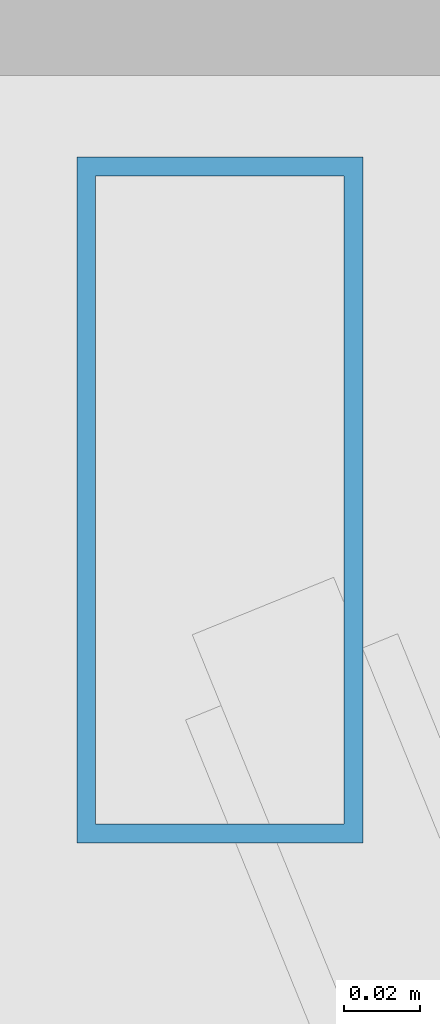
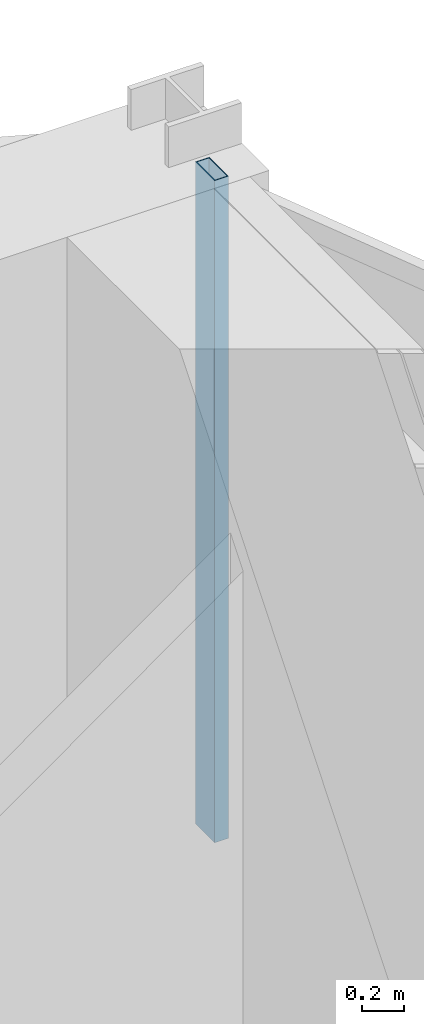
# One storey, part 18 of 26: 1 member, 1 element without a shape of its own.
"""IFC4 building model written with IfcOpenShell, lengths in metres."""

from ifc_helpers import new_model, si_unit, direction, frame, origin, origin_2d, place, context, subcontext, project, spatial, hollow_rectangle, extrude, material, layer, layer_set, material_profile, profile_set, type_object, element, aggregate, save


model = new_model("IFC4")

# Units and contexts
model_context = context("Model", 3, precision=1e-05, world=origin(), true_north=direction((0.0, 1.0)))
body_context = subcontext(model_context, "Body", "Model", "MODEL_VIEW")
ifc_project = project(units=[si_unit("LENGTHUNIT", "METRE"), si_unit("AREAUNIT", "SQUARE_METRE"), si_unit("VOLUMEUNIT", "CUBIC_METRE"), si_unit("PLANEANGLEUNIT", "RADIAN"), si_unit("MASSUNIT", "GRAM", prefix="KILO")], contexts=[model_context])

# Site, building, storey
site_placement = place(None, origin())
site = spatial("IfcSite", under=ifc_project, at=site_placement, CompositionType="ELEMENT")
building_placement = place(site_placement, origin())
building = spatial("IfcBuilding", under=site, at=building_placement, Name="Veymaron Broadcast Tower", CompositionType="ELEMENT")
storey_placement = place(building_placement, frame((0.0, 0.0, 133.050048828125)))
storey = spatial("IfcBuildingStorey", under=building, at=storey_placement, Name="L30", CompositionType="ELEMENT", Elevation=133.050048828125)

# Curtain wall, member
ifc_material_1 = material(Name="Anodised aluminium AA 6063-T6 and laminated low-E dark glass", Category="aluminium")
ifc_layer = layer(ifc_material_1, 0.179931640625)
ifc_layer_set = layer_set([ifc_layer], Name="Anodised aluminium AA 6063-T6 and laminated low-E dark glass")
curtain_wall_type = type_object("IfcCurtainWallType", Name="CW-SYS-03", PredefinedType="NOTDEFINED", material=ifc_layer_set)
curtain_wall_placement = place(storey_placement, origin())
curtain_wall = element("IfcCurtainWall", 1, at=curtain_wall_placement, inside=storey, type_object=curtain_wall_type, Name="L30 dark-glass curtain wall CW-L30-E3-1", PredefinedType="NOTDEFINED")
ifc_material_2 = material(Name="Anodised aluminium AA 6063-T6", Category="aluminium")
ifc_material_profile = material_profile(ifc_material_2, hollow_rectangle(XDim=0.074951171875, YDim=0.179931640625, WallThickness=0.0048828125, at=origin_2d()), Name="AL180X75X5")
ifc_profile_set = profile_set([ifc_material_profile], Name="Anodised aluminium AA 6063-T6")
member_type = type_object("IfcMemberType", Name="CW-MUL-02", PredefinedType="MULLION", material=ifc_profile_set)
member_placement = place(storey_placement, frame((54.572998046875, 31.695068359375, 0.0), z_axis=(0.0, 0.0, 1.0), x_axis=(1.0, 0.0, 0.0)))
member = element("IfcMember", 2, at=member_placement, type_object=member_type, Name="CW-L30-E3-1 mullion 2", PredefinedType="MULLION", context=body_context, shape_type="SweptSolid", body=[
    extrude(hollow_rectangle(XDim=0.074951171875, YDim=0.179931640625, WallThickness=0.0048828125, at=origin_2d()), origin(), (0.0, 0.0, 1.0), 3.81005859375),
])
aggregate(curtain_wall, [member])

save(model, "model.ifc")
